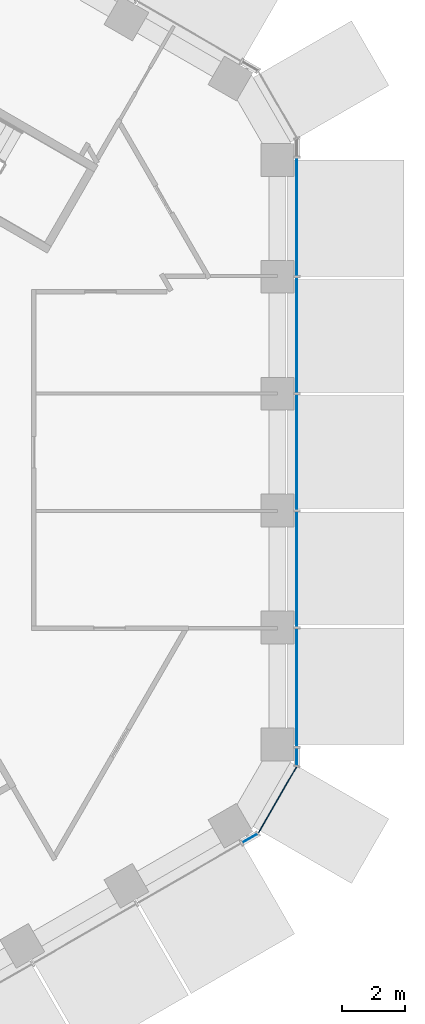
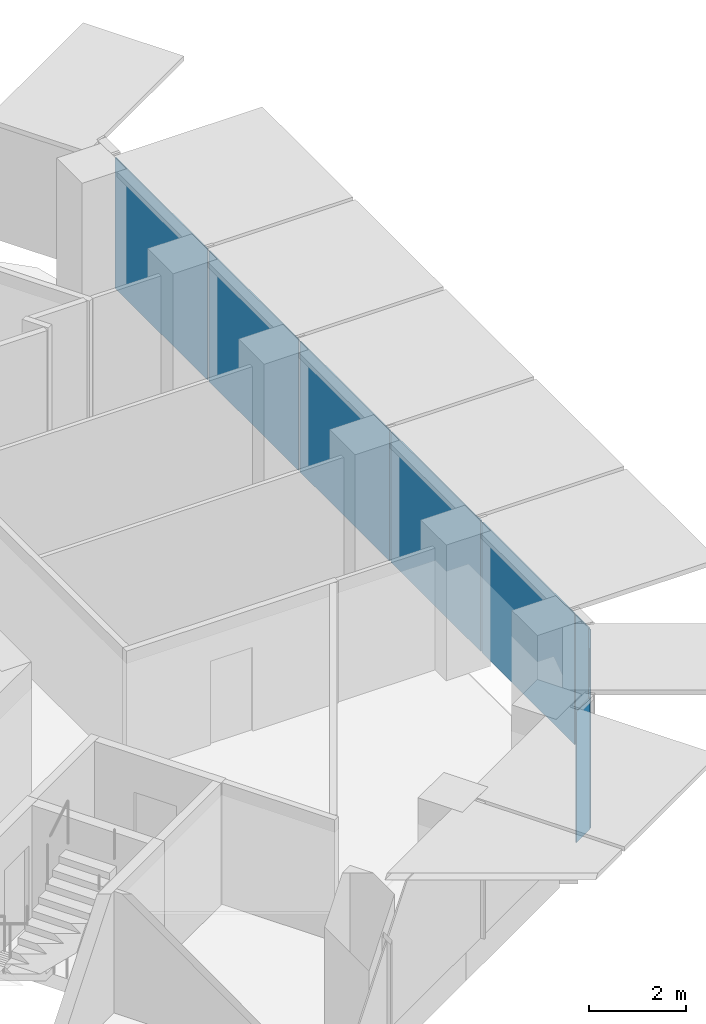
# One storey, part 10 of 18: 8 plates, 2 elements without a shape of their own.
"""IFC4 building model written with IfcOpenShell, lengths in metres."""

import ifcopenshell
import ifcopenshell.guid

model = None  # the IFC model being written
_history = None  # IfcOwnerHistory: only IFC2X3 demands one
_inside = {}  # id of a spatial element -> (the spatial element, [elements in it])
_under = {}  # id of a project, library or spatial element -> (it, [spatial elements below it])
_declared = {}  # id of a project -> (the project, [libraries it declares])
_typed = {}  # id of a type object -> (the type object, [elements of that type])
_made_of = {}  # id of a material, layer set ... -> (it, [elements and type objects made of it])


def new_model(schema):
    """Start an empty IFC model of exactly this schema.

    Asked for "IFC4X3", IfcOpenShell would pick the latest addendum, in which some entities
    have other attributes; the version numbers below select the first issue.
    IFC2X3 requires an IfcOwnerHistory on every rooted entity: one is made here for all.
    """
    global model, _history
    if schema == "IFC4X3":
        model = ifcopenshell.file(schema_version=(4, 3, 0, 0))
    else:
        model = ifcopenshell.file(schema=schema)
    _inside.clear()
    _under.clear()
    _declared.clear()
    _typed.clear()
    _made_of.clear()
    _history = None
    if model.schema == "IFC2X3":
        org = make("IfcOrganization", Name="unknown")
        user = make(
            "IfcPersonAndOrganization",
            ThePerson=make("IfcPerson", FamilyName="unknown"),
            TheOrganization=org,
        )
        app = make(
            "IfcApplication",
            ApplicationDeveloper=org,
            Version="unknown",
            ApplicationFullName="unknown",
            ApplicationIdentifier="unknown",
        )
        _history = make(
            "IfcOwnerHistory",
            OwningUser=user,
            OwningApplication=app,
            ChangeAction="ADDED",
            CreationDate=0,
        )
    return model


def make(cls, **values):
    """One entity of the class cls with the attributes given. An attribute that is None is left unset."""
    return model.create_entity(
        cls, **{name: value for name, value in values.items() if value is not None}
    )


def rooted(cls, **values):
    """An entity with a GlobalId (a new one), such as an element, a storey or a relation."""
    return make(cls, GlobalId=ifcopenshell.guid.new(), OwnerHistory=_history, **values)


def si_unit(unit_type, name, prefix=None):
    """IfcSIUnit, for example si_unit("LENGTHUNIT", "METRE", prefix="MILLI")."""
    return make("IfcSIUnit", UnitType=unit_type, Prefix=prefix, Name=name)


def assignment(units):
    """IfcUnitAssignment: the units of a project."""
    return None if units is None else make("IfcUnitAssignment", Units=units)


def point(xyz):
    """IfcCartesianPoint."""
    return None if xyz is None else make("IfcCartesianPoint", Coordinates=xyz)


def direction(xyz):
    """IfcDirection."""
    return None if xyz is None else make("IfcDirection", DirectionRatios=xyz)


def frame(location, z_axis=None, x_axis=None):
    """IfcAxis2Placement3D, a coordinate frame: its origin and axes. An axis left out is left unset."""
    return make(
        "IfcAxis2Placement3D",
        Location=point(location),
        Axis=direction(z_axis),
        RefDirection=direction(x_axis),
    )


def frame_2d(location, x_axis=None):
    """IfcAxis2Placement2D, a coordinate frame in the plane: its origin and x axis."""
    return make(
        "IfcAxis2Placement2D", Location=point(location), RefDirection=direction(x_axis)
    )


def origin():
    """The frame at (0, 0, 0) with its axes left unset."""
    return frame((0.0, 0.0, 0.0))


def origin_2d():
    """The frame at (0, 0) in the plane with its x axis left unset."""
    return frame_2d((0.0, 0.0))


def place(relative_to, where):
    """IfcLocalPlacement: puts the frame where relative to a parent placement (None: the world)."""
    return make(
        "IfcLocalPlacement", PlacementRelTo=relative_to, RelativePlacement=where
    )


def context(
    kind, dimensions, precision=None, world=None, true_north=None, identifier=None
):
    """IfcGeometricRepresentationContext, for example the 3D "Model" context."""
    return make(
        "IfcGeometricRepresentationContext",
        ContextIdentifier=identifier,
        ContextType=kind,
        CoordinateSpaceDimension=dimensions,
        Precision=precision,
        WorldCoordinateSystem=world,
        TrueNorth=true_north,
    )


def subcontext(parent, identifier, kind, view, scale=None):
    """IfcGeometricRepresentationSubContext, for example "Body" below "Model"."""
    return make(
        "IfcGeometricRepresentationSubContext",
        ContextIdentifier=identifier,
        ContextType=kind,
        ParentContext=parent,
        TargetScale=scale,
        TargetView=view,
    )


def project(units=None, contexts=None):
    """IfcProject with its units and contexts."""
    return rooted(
        "IfcProject",
        Name="project",
        RepresentationContexts=contexts,
        UnitsInContext=assignment(units),
    )


def spatial(cls, under=None, at=None, **own):
    """A site, building, storey or space (cls), placed at a placement, below another one or the project."""
    s = rooted(cls, ObjectPlacement=at, **own)
    if under is not None:
        _under.setdefault(under.id(), (under, []))[1].append(s)
    return s


def profile(cls, at=None, kind="AREA", **sizes):
    """A parametric profile (cls). Its sizes go by their IFC names, for example OverallWidth=200.0."""
    return make(cls, ProfileType=kind, Position=at, **sizes)


def rectangle(**sizes):
    """IfcRectangleProfileDef."""
    return profile("IfcRectangleProfileDef", **sizes)


def extrude(swept, where, along, depth):
    """IfcExtrudedAreaSolid: the profile swept, set in the frame where, extruded along a direction by depth."""
    return make(
        "IfcExtrudedAreaSolid",
        SweptArea=swept,
        Position=where,
        ExtrudedDirection=direction(along),
        Depth=depth,
    )


def shape(context_of_items, identifier, shape_type, items):
    """IfcShapeRepresentation: the items that make up one representation, for example the "Body"."""
    return make(
        "IfcShapeRepresentation",
        ContextOfItems=context_of_items,
        RepresentationIdentifier=identifier,
        RepresentationType=shape_type,
        Items=items,
    )


def material(Name=None, Category=None):
    """IfcMaterial."""
    return make("IfcMaterial", Name=Name, Category=Category)


def layer(
    of_material, thickness, ventilated=None, Name=None, Category=None, Priority=None
):
    """IfcMaterialLayer: one layer of a wall or slab, of a material (None: an air gap)."""
    return make(
        "IfcMaterialLayer",
        Material=of_material,
        LayerThickness=thickness,
        IsVentilated=ventilated,
        Name=Name,
        Category=Category,
        Priority=Priority,
    )


def layer_set(layers, Name=None):
    """IfcMaterialLayerSet."""
    return make("IfcMaterialLayerSet", MaterialLayers=layers, LayerSetName=Name)


def made_of(thing, what):
    """Note that an element or type object is made of a material, layer set ...; save() writes the relation."""
    if what is not None:
        _made_of.setdefault(what.id(), (what, []))[1].append(thing)
    return thing


def type_object(cls, material=None, **own):
    """A type object (cls), such as IfcWallType, which elements share."""
    return made_of(rooted(cls, **own), material)


def element(
    cls,
    number,
    at=None,
    inside=None,
    cuts=None,
    type_object=None,
    material=None,
    context=None,
    identifier="Body",
    shape_type=None,
    held_by="IfcProductDefinitionShape",
    body=None,
    shapes=None,
    **own,
):
    """One element of the class cls, such as IfcWall. Its Tag is "e" and its number.

    at: its placement. inside: the storey or other place that contains it. cuts: it is an
    opening in that element (IfcRelVoidsElement). A single representation is given by context,
    identifier, shape_type and body (its items); several are given by shapes. held_by: the class
    of the entity that holds the representations. save() writes the other relations.
    """
    e = rooted(cls, Tag="e%d" % number, ObjectPlacement=at, **own)
    if body is not None:
        shapes = [shape(context, identifier, shape_type, body)]
    if shapes is not None:
        e.Representation = make(held_by, Representations=shapes)
    if inside is not None:
        _inside.setdefault(inside.id(), (inside, []))[1].append(e)
    if cuts is not None:
        rooted(
            "IfcRelVoidsElement", RelatingBuildingElement=cuts, RelatedOpeningElement=e
        )
    if type_object is not None:
        _typed.setdefault(type_object.id(), (type_object, []))[1].append(e)
    return made_of(e, material)


def aggregate(whole, parts):
    """IfcRelAggregates: a whole, such as a stair, and the parts it consists of."""
    return rooted("IfcRelAggregates", RelatingObject=whole, RelatedObjects=parts)


def save(model, path):
    """Write the relations noted so far, then the file.

    IfcRelAggregates (storeys below a building ...), IfcRelContainedInSpatialStructure (elements
    in a storey), IfcRelDefinesByType, IfcRelAssociatesMaterial and IfcRelDeclares: one each for
    every whole, place, type object, material and project.
    """
    for whole, parts in _under.values():
        aggregate(whole, parts)
    for where, things in _inside.values():
        rooted(
            "IfcRelContainedInSpatialStructure",
            RelatedElements=things,
            RelatingStructure=where,
        )
    for kind, things in _typed.values():
        rooted("IfcRelDefinesByType", RelatedObjects=things, RelatingType=kind)
    for what, things in _made_of.values():
        rooted("IfcRelAssociatesMaterial", RelatedObjects=things, RelatingMaterial=what)
    for by, libraries in _declared.values():
        rooted("IfcRelDeclares", RelatingContext=by, RelatedDefinitions=libraries)
    model.write(path)


model = new_model("IFC4")

# Units and contexts
model_context = context("Model", 3, precision=1e-05, world=origin(), true_north=direction((0.0, 1.0)))
body_context = subcontext(model_context, "Body", "Model", "MODEL_VIEW")
ifc_project = project(units=[si_unit("LENGTHUNIT", "METRE"), si_unit("AREAUNIT", "SQUARE_METRE"), si_unit("VOLUMEUNIT", "CUBIC_METRE"), si_unit("PLANEANGLEUNIT", "RADIAN"), si_unit("MASSUNIT", "GRAM", prefix="KILO")], contexts=[model_context])

# Site, building, storey
site_placement = place(None, origin())
site = spatial("IfcSite", under=ifc_project, at=site_placement, CompositionType="ELEMENT")
building_placement = place(site_placement, origin())
building = spatial("IfcBuilding", under=site, at=building_placement, Name="Ayvan Gate Tower", CompositionType="ELEMENT")
storey_placement = place(building_placement, frame((0.0, 0.0, 89.89990234375)))
storey = spatial("IfcBuildingStorey", under=building, at=storey_placement, Name="L23", CompositionType="ELEMENT", Elevation=89.89990234375)

# Curtain wall, plates
ifc_material_1 = material(Name="Bronze anodised aluminium", Category="aluminium")
ifc_layer_1 = layer(ifc_material_1, 0.199951171875)
ifc_layer_set_1 = layer_set([ifc_layer_1], Name="Bronze anodised aluminium")
curtain_wall_type_1 = type_object("IfcCurtainWallType", Name="Stick curtain wall CW-1", PredefinedType="NOTDEFINED", material=ifc_layer_set_1)
curtain_wall_1_placement = place(storey_placement, origin())
curtain_wall_1 = element("IfcCurtainWall", 1, at=curtain_wall_1_placement, inside=storey, type_object=curtain_wall_type_1, Name="Stick curtain wall CW-1 L23", PredefinedType="NOTDEFINED")
ifc_material_2 = material(Name="Clear low-iron laminated glass", Category="glass")
ifc_layer_2 = layer(ifc_material_2, 0.028076171875)
ifc_layer_set_2 = layer_set([ifc_layer_2], Name="Clear low-iron laminated glass")
plate_type_1 = type_object("IfcPlateType", Name="Stick curtain wall CW-1 glass panel", PredefinedType="CURTAIN_PANEL", material=ifc_layer_set_2)
plate_1_placement = place(storey_placement, frame((20.110595703125, -7.53564453125, 0.0), z_axis=(0.0, 0.0, 1.0), x_axis=(0.0, 1.0, 0.0)))
plate_1 = element("IfcPlate", 2, at=plate_1_placement, type_object=plate_type_1, Name="CW-1 glass panel 1", PredefinedType="CURTAIN_PANEL", context=body_context, shape_type="SweptSolid", body=[
    extrude(rectangle(XDim=3.794921875, YDim=0.028076171875, at=origin_2d()), origin(), (0.0, 0.0, 1.0), 3.280029296875),
])
plate_2_placement = place(storey_placement, frame((20.110595703125, -3.73876953125, 0.0), z_axis=(0.0, 0.0, 1.0), x_axis=(0.0, 1.0, 0.0)))
plate_2 = element("IfcPlate", 3, at=plate_2_placement, type_object=plate_type_1, Name="CW-1 glass panel 2", PredefinedType="CURTAIN_PANEL", context=body_context, shape_type="SweptSolid", body=[
    extrude(rectangle(XDim=3.678955078125, YDim=0.028076171875, at=origin_2d()), origin(), (0.0, 0.0, 1.0), 3.280029296875),
])
plate_3_placement = place(storey_placement, frame((20.110595703125, 0.000244140625, 0.0), z_axis=(0.0, 0.0, 1.0), x_axis=(0.0, 1.0, 0.0)))
plate_3 = element("IfcPlate", 4, at=plate_3_placement, type_object=plate_type_1, Name="CW-1 glass panel 3", PredefinedType="CURTAIN_PANEL", context=body_context, shape_type="SweptSolid", body=[
    extrude(rectangle(XDim=3.678955078125, YDim=0.028076171875, at=origin_2d()), origin(), (0.0, 0.0, 1.0), 3.280029296875),
])
plate_4_placement = place(storey_placement, frame((20.110595703125, 3.73876953125, 0.0), z_axis=(0.0, 0.0, 1.0), x_axis=(0.0, 1.0, 0.0)))
plate_4 = element("IfcPlate", 5, at=plate_4_placement, type_object=plate_type_1, Name="CW-1 glass panel 4", PredefinedType="CURTAIN_PANEL", context=body_context, shape_type="SweptSolid", body=[
    extrude(rectangle(XDim=3.677978515625, YDim=0.028076171875, at=origin_2d()), origin(), (0.0, 0.0, 1.0), 3.280029296875),
])
plate_5_placement = place(storey_placement, frame((20.110595703125, 7.535400390625, 0.0), z_axis=(0.0, 0.0, 1.0), x_axis=(0.0, 1.0, 0.0)))
plate_5 = element("IfcPlate", 6, at=plate_5_placement, type_object=plate_type_1, Name="CW-1 glass panel 5", PredefinedType="CURTAIN_PANEL", context=body_context, shape_type="SweptSolid", body=[
    extrude(rectangle(XDim=3.79541015625, YDim=0.028076171875, at=origin_2d()), origin(), (0.0, 0.0, 1.0), 3.280029296875),
])
aggregate(curtain_wall_1, [plate_1, plate_2, plate_3, plate_4, plate_5])

ifc_layer_3 = layer(ifc_material_1, 0.199951171875)
ifc_layer_set_3 = layer_set([ifc_layer_3], Name="Bronze anodised aluminium")
curtain_wall_type_2 = type_object("IfcCurtainWallType", Name="Stick curtain wall CW-6", PredefinedType="NOTDEFINED", material=ifc_layer_set_3)
curtain_wall_2_placement = place(storey_placement, origin())
curtain_wall_2 = element("IfcCurtainWall", 7, at=curtain_wall_2_placement, inside=storey, type_object=curtain_wall_type_2, Name="Stick curtain wall CW-6 L23", PredefinedType="NOTDEFINED")
ifc_layer_4 = layer(ifc_material_2, 0.028076171875)
ifc_layer_set_4 = layer_set([ifc_layer_4], Name="Clear low-iron laminated glass")
plate_type_2 = type_object("IfcPlateType", Name="Stick curtain wall CW-6 glass panel", PredefinedType="CURTAIN_PANEL", material=ifc_layer_set_4)
plate_6_placement = place(storey_placement, frame((18.607421875, -12.341552734375, 0.0), z_axis=(0.0, 0.0, 1.0), x_axis=(0.866025403784, 0.5, 0.0)))
plate_6 = element("IfcPlate", 8, at=plate_6_placement, type_object=plate_type_2, Name="CW-6 glass panel 1", PredefinedType="CURTAIN_PANEL", context=body_context, shape_type="SweptSolid", body=[
    extrude(rectangle(XDim=0.550048828125, YDim=0.028076171875, at=origin_2d()), origin(), (0.0, 0.0, 1.0), 3.280029296875),
])
plate_7_placement = place(storey_placement, frame((19.489013671875, -11.114990234375, 0.0), z_axis=(0.0, 0.0, 1.0), x_axis=(0.5, 0.866025403784, 0.0)))
plate_7 = element("IfcPlate", 9, at=plate_7_placement, type_object=plate_type_2, Name="CW-6 glass panel 2", PredefinedType="CURTAIN_PANEL", context=body_context, shape_type="SweptSolid", body=[
    extrude(rectangle(XDim=2.4365234375, YDim=0.028076171875, at=origin_2d()), origin(), (0.0, 0.0, 1.0), 3.280029296875),
])
plate_8_placement = place(storey_placement, frame((20.110595703125, -9.73828125, 0.0), z_axis=(0.0, 0.0, 1.0), x_axis=(0.0, 1.0, 0.0)))
plate_8 = element("IfcPlate", 10, at=plate_8_placement, type_object=plate_type_2, Name="CW-6 glass panel 3", PredefinedType="CURTAIN_PANEL", context=body_context, shape_type="SweptSolid", body=[
    extrude(rectangle(XDim=0.550048828125, YDim=0.028076171875, at=origin_2d()), origin(), (0.0, 0.0, 1.0), 3.280029296875),
])
aggregate(curtain_wall_2, [plate_6, plate_7, plate_8])

save(model, "model.ifc")
